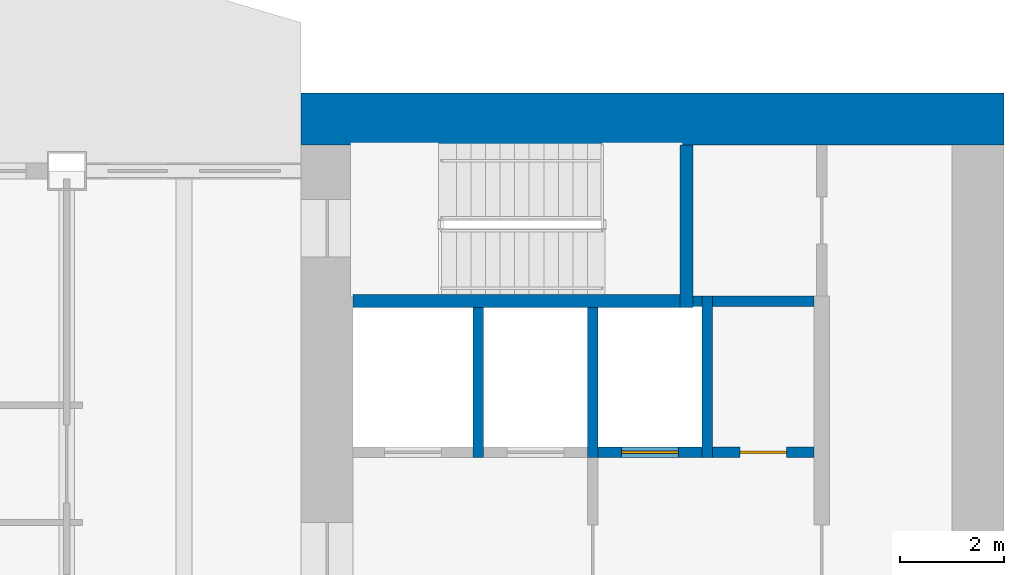
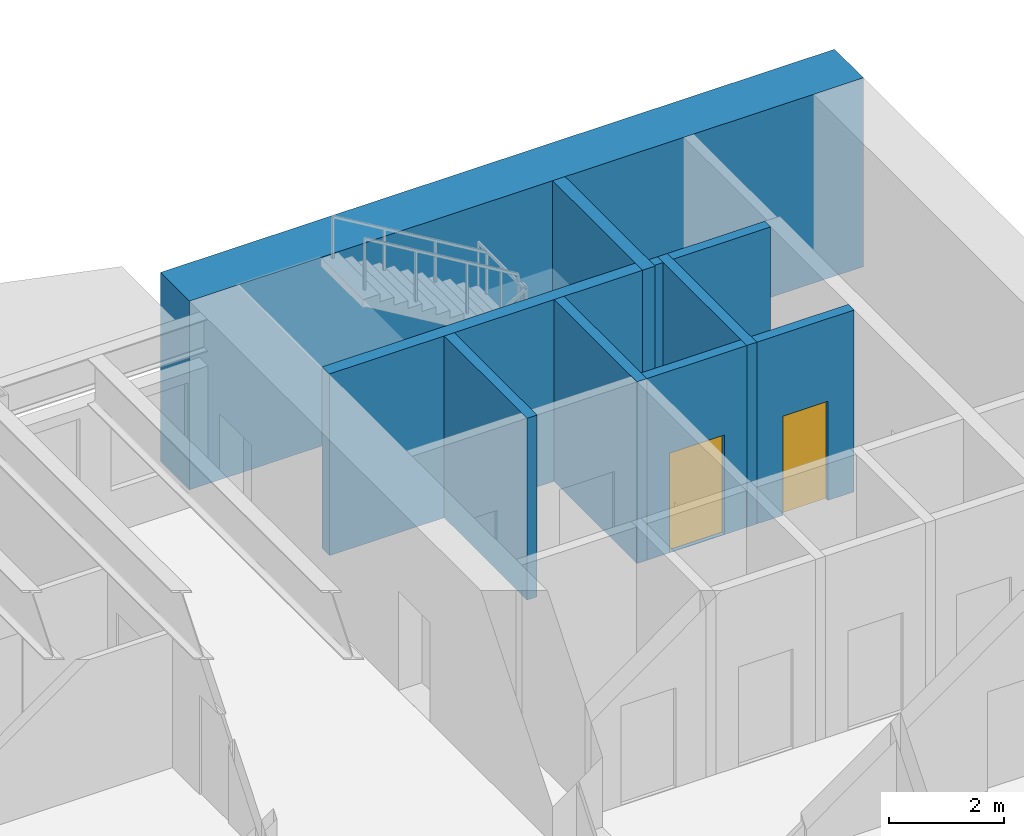
# One storey, part 8 of 17: 10 walls, 2 doors, 2 openings.
"""IFC4 building model written with IfcOpenShell, lengths in metres."""

from ifc_helpers import new_model, si_unit, direction, frame, frame_2d, origin, place, context, subcontext, project, spatial, rectangle, extrude, material, layer, layer_set, type_object, element, fill, save


model = new_model("IFC4")

# Units and contexts
model_context = context("Model", 3, precision=1e-05, world=origin(), true_north=direction((0.0, 1.0)))
body_context = subcontext(model_context, "Body", "Model", "MODEL_VIEW")
ifc_project = project(units=[si_unit("LENGTHUNIT", "METRE"), si_unit("AREAUNIT", "SQUARE_METRE"), si_unit("VOLUMEUNIT", "CUBIC_METRE"), si_unit("PLANEANGLEUNIT", "RADIAN"), si_unit("MASSUNIT", "GRAM", prefix="KILO")], contexts=[model_context])

# Site, building, storey
site_placement = place(None, origin())
site = spatial("IfcSite", under=ifc_project, at=site_placement, CompositionType="ELEMENT")
building_placement = place(site_placement, origin())
building = spatial("IfcBuilding", under=site, at=building_placement, Name="Sennacour Bend Tower", CompositionType="ELEMENT")
storey_placement = place(building_placement, frame((0.0, 0.0, 199.0)))
storey = spatial("IfcBuildingStorey", under=building, at=storey_placement, Name="L45", CompositionType="ELEMENT", Elevation=199.0)

# Wall
ifc_material_1 = material(Name="Concrete C60/75", Category="concrete")
ifc_layer_1 = layer(ifc_material_1, 1.0, Name="Concrete C60/75", Category="concrete")
ifc_layer_set_1 = layer_set([ifc_layer_1], Name="Concrete C60/75")
wall_type_1 = type_object("IfcWallType", Name="Core wall 1000 C60/75", PredefinedType="SHEAR", material=ifc_layer_set_1)
wall_1_placement = place(storey_placement, frame((54.0, 22.0, -0.14990234375), z_axis=(0.0, 0.0, 1.0), x_axis=(1.0, 0.0, 0.0)))
element("IfcWall", 1, at=wall_1_placement, inside=storey, type_object=wall_type_1, Name="Core A wall L45 N", PredefinedType="SHEAR", context=body_context, shape_type="SweptSolid", body=[
    extrude(rectangle(XDim=13.5, YDim=1.0, at=frame_2d((6.75, 0.0))), origin(), (0.0, 0.0, 1.0), 4.0),
])

# Wall, opening, door
ifc_material_2 = material(Name="Fire-rated plasterboard partition on steel studs", Category="steel")
ifc_layer_2 = layer(ifc_material_2, 0.199951171875, Name="Fire-rated plasterboard partition on steel studs", Category="steel")
ifc_layer_set_2 = layer_set([ifc_layer_2], Name="Fire-rated plasterboard partition on steel studs")
wall_type_2 = type_object("IfcWallType", Name="Rated partition 200", PredefinedType="PARTITIONING", material=ifc_layer_set_2)
wall_2_placement = place(storey_placement, frame((61.89990234375, 15.60009765625, 0.0), z_axis=(0.0, 0.0, 1.0), x_axis=(1.0, 0.0, 0.0)))
wall_2 = element("IfcWall", 2, at=wall_2_placement, inside=storey, type_object=wall_type_2, Name="P-L45-W075", PredefinedType="PARTITIONING", context=body_context, shape_type="SweptSolid", body=[
    extrude(rectangle(XDim=1.9501953125, YDim=0.199951171875, at=frame_2d((0.97509765625, 0.0))), origin(), (0.0, 0.0, 1.0), 3.85009765625),
])
opening_1_placement = place(wall_2_placement, frame((0.525146484375, 0.0, 0.0)))
opening_1 = element("IfcOpeningElement", 3, at=opening_1_placement, cuts=wall_2, Name="Opening SV", PredefinedType="OPENING", context=body_context, shape_type="SweptSolid", body=[
    extrude(rectangle(XDim=0.89990234375, YDim=2.10009765625, at=frame_2d((0.449951171875, 1.050048828125))), frame((0.0, 0.10986328125, 0.0), z_axis=(0.0, -1.0, 0.0), x_axis=(1.0, 0.0, 0.0)), (0.0, 0.0, 1.0), 0.219970703125),
])
ifc_material_3 = material(Name="Painted steel", Category="steel")
door_type_1 = type_object("IfcDoorType", Name="DR-SERVICE-900", OperationType="NOTDEFINED", PredefinedType="DOOR", material=ifc_material_3)
door_1_placement = place(opening_1_placement, origin())
door_1 = element("IfcDoor", 4, at=door_1_placement, inside=storey, type_object=door_type_1, Name="Door", OperationType="SINGLE_SWING_LEFT", OverallHeight=2.10009765625, OverallWidth=0.89990234375, PredefinedType="DOOR", context=body_context, shape_type="SweptSolid", body=[
    extrude(rectangle(XDim=0.89990234375, YDim=2.10009765625, at=frame_2d((0.449951171875, 1.050048828125))), frame((0.0, 0.02490234375, 0.0), z_axis=(0.0, -1.0, 0.0), x_axis=(1.0, 0.0, 0.0)), (0.0, 0.0, 1.0), 0.050048828125),
])
fill(opening_1, door_1)

# Walls
wall_3_placement = place(storey_placement, frame((61.89990234375, 18.5, 0.0), z_axis=(0.0, 0.0, 1.0), x_axis=(1.0, 0.0, 0.0)))
element("IfcWall", 5, at=wall_3_placement, inside=storey, type_object=wall_type_2, Name="P-L45-W080", PredefinedType="PARTITIONING", context=body_context, shape_type="SweptSolid", body=[
    extrude(rectangle(XDim=1.9501953125, YDim=0.199951171875, at=frame_2d((0.97509765625, 0.0))), origin(), (0.0, 0.0, 1.0), 3.85009765625),
])
ifc_material_4 = material(Name="Concrete C50/60", Category="concrete")
ifc_layer_3 = layer(ifc_material_4, 0.199951171875, Name="Concrete C50/60", Category="concrete")
ifc_layer_set_3 = layer_set([ifc_layer_3], Name="Concrete C50/60")
wall_type_3 = type_object("IfcWallType", Name="Shaft wall 200", PredefinedType="SOLIDWALL", material=ifc_layer_set_3)
for number, where, z_axis, x_axis, name in (
    (6, (57.39990234375, 15.5, 0.0), (0.0, 0.0, 1.0), (0.0, 1.0, 0.0), "P-L45-W043"),
    (7, (59.60009765625, 15.5, 0.0), (0.0, 0.0, 1.0), (0.0, 1.0, 0.0), "P-L45-W047"),
):
    element("IfcWall", number, at=place(storey_placement, frame(where, z_axis=z_axis, x_axis=x_axis)), inside=storey, type_object=wall_type_3, Name=name, PredefinedType="SOLIDWALL", context=body_context, shape_type="SweptSolid", body=[
        extrude(rectangle(XDim=2.875, YDim=0.199951171875, at=frame_2d((1.4375, 0.0))), origin(), (0.0, 0.0, 1.0), 3.85009765625),
    ])
wall_4_placement = place(storey_placement, frame((61.800048828125, 15.5, 0.0), z_axis=(0.0, 0.0, 1.0), x_axis=(0.0, 1.0, 0.0)))
element("IfcWall", 8, at=wall_4_placement, inside=storey, type_object=wall_type_3, Name="P-L45-W051", PredefinedType="SOLIDWALL", context=body_context, shape_type="SweptSolid", body=[
    extrude(rectangle(XDim=3.10009765625, YDim=0.199951171875, at=frame_2d((1.550048828125, 0.0))), origin(), (0.0, 0.0, 1.0), 3.85009765625),
])

# Wall, opening, door
wall_5_placement = place(storey_placement, frame((59.699951171875, 15.60009765625, 0.0), z_axis=(0.0, 0.0, 1.0), x_axis=(1.0, 0.0, 0.0)))
wall_5 = element("IfcWall", 9, at=wall_5_placement, inside=storey, type_object=wall_type_3, Name="P-L45-W074c", PredefinedType="SOLIDWALL", context=body_context, shape_type="SweptSolid", body=[
    extrude(rectangle(XDim=2.0, YDim=0.199951171875, at=frame_2d((1.0, 0.0))), origin(), (0.0, 0.0, 1.0), 3.85009765625),
])
opening_2_placement = place(wall_5_placement, frame((0.449951171875, 0.0, 0.011962890625)))
opening_2 = element("IfcOpeningElement", 10, at=opening_2_placement, cuts=wall_5, Name="Opening LD", PredefinedType="OPENING", context=body_context, shape_type="SweptSolid", body=[
    extrude(rectangle(XDim=1.10009765625, YDim=2.10009765625, at=frame_2d((0.550048828125, 1.050048828125))), frame((0.0, 0.10986328125, 0.0), z_axis=(0.0, -1.0, 0.0), x_axis=(1.0, 0.0, 0.0)), (0.0, 0.0, 1.0), 0.219970703125),
])
ifc_material_5 = material(Name="Stainless steel", Category="steel")
door_type_2 = type_object("IfcDoorType", Name="DR-LANDING-1100", OperationType="NOTDEFINED", PredefinedType="DOOR", material=ifc_material_5)
door_2_placement = place(opening_2_placement, origin())
door_2 = element("IfcDoor", 11, at=door_2_placement, inside=storey, type_object=door_type_2, Name="Lift landing door HA5", OperationType="SLIDING_TO_LEFT", OverallHeight=2.10009765625, OverallWidth=1.10009765625, PredefinedType="DOOR", context=body_context, shape_type="SweptSolid", body=[
    extrude(rectangle(XDim=1.10009765625, YDim=2.10009765625, at=frame_2d((0.550048828125, 1.050048828125))), frame((0.0, 0.02490234375, 0.0), z_axis=(0.0, -1.0, 0.0), x_axis=(1.0, 0.0, 0.0)), (0.0, 0.0, 1.0), 0.050048828125),
])
fill(opening_2, door_2)

# Walls
wall_6_placement = place(storey_placement, frame((61.52490234375, 18.5, 0.0), z_axis=(0.0, 0.0, 1.0), x_axis=(1.0, 0.0, 0.0)))
element("IfcWall", 12, at=wall_6_placement, inside=storey, type_object=wall_type_3, Name="P-L45-W079", PredefinedType="SOLIDWALL", context=body_context, shape_type="SweptSolid", body=[
    extrude(rectangle(XDim=0.175048828125, YDim=0.199951171875, at=frame_2d((0.08740234375, 0.0))), origin(), (0.0, 0.0, 1.0), 3.85009765625),
])
ifc_layer_4 = layer(ifc_material_1, 0.25, Name="Concrete C60/75", Category="concrete")
ifc_layer_set_4 = layer_set([ifc_layer_4], Name="Concrete C60/75")
wall_type_4 = type_object("IfcWallType", Name="Stair wall 250", PredefinedType="SHEAR", material=ifc_layer_set_4)
wall_7_placement = place(storey_placement, frame((61.39990234375, 18.375, 0.0), z_axis=(0.0, 0.0, 1.0), x_axis=(0.0, 1.0, 0.0)))
element("IfcWall", 13, at=wall_7_placement, inside=storey, type_object=wall_type_4, Name="P-L45-W049", PredefinedType="SHEAR", context=body_context, shape_type="SweptSolid", body=[
    extrude(rectangle(XDim=3.125, YDim=0.25, at=frame_2d((1.5625, 0.0))), origin(), (0.0, 0.0, 1.0), 3.85009765625),
])
wall_8_placement = place(storey_placement, frame((55.0, 18.5, 0.0), z_axis=(0.0, 0.0, 1.0), x_axis=(1.0, 0.0, 0.0)))
element("IfcWall", 14, at=wall_8_placement, inside=storey, type_object=wall_type_4, Name="P-L45-W078", PredefinedType="SHEAR", context=body_context, shape_type="SweptSolid", body=[
    extrude(rectangle(XDim=6.27490234375, YDim=0.25, at=frame_2d((3.137451171875, 0.0))), origin(), (0.0, 0.0, 1.0), 3.85009765625),
])

save(model, "model.ifc")
